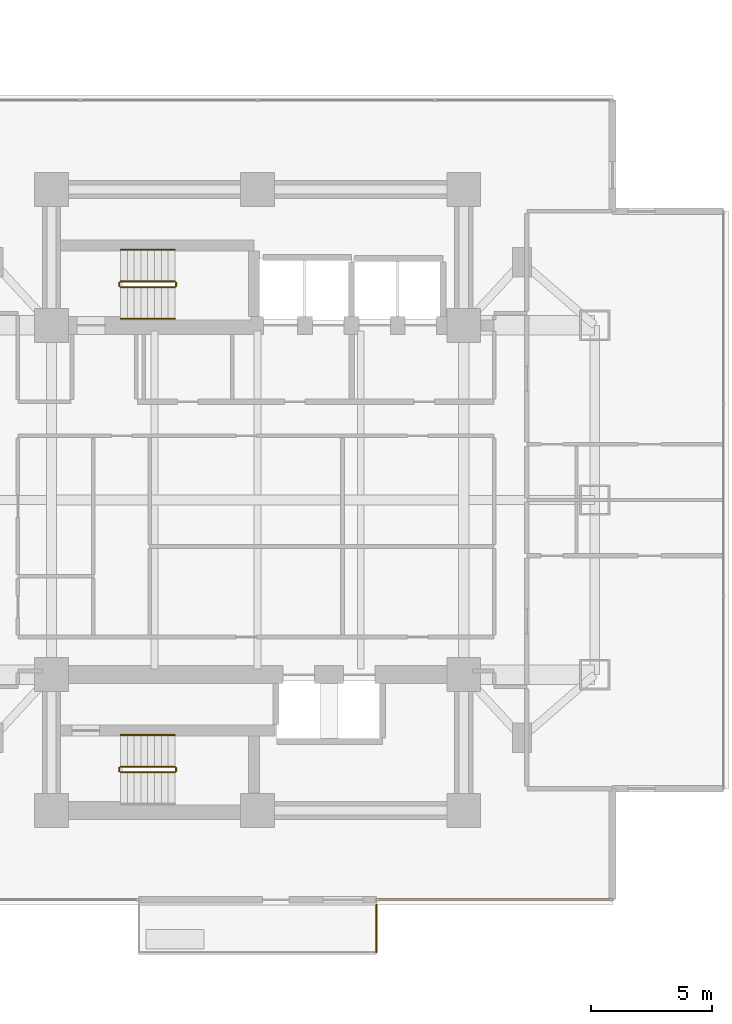
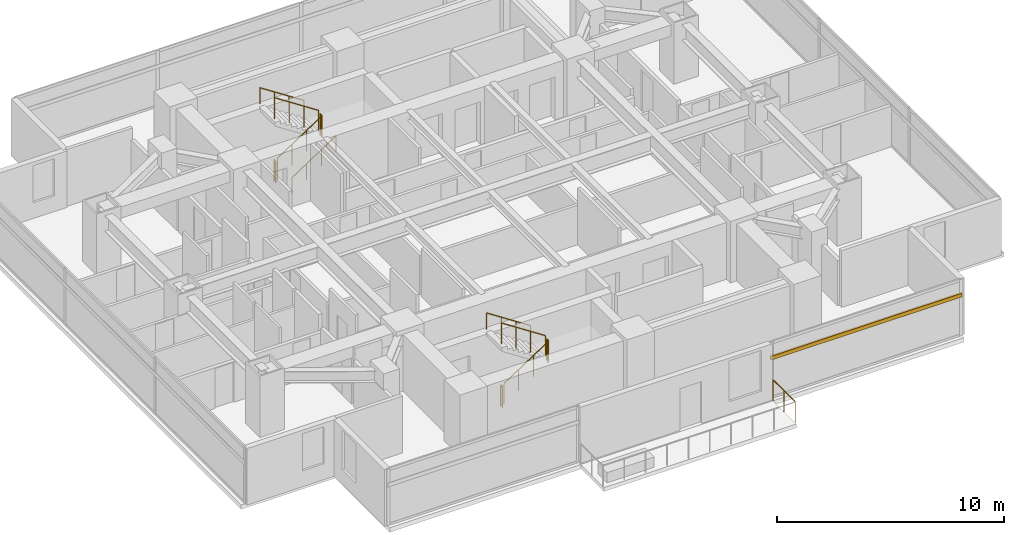
# One storey, part 26 of 27: 12 railings, 1 shading device.
"""IFC4 building model written with IfcOpenShell, lengths in metres."""

from ifc_helpers import new_model, si_unit, direction, frame, origin, origin_2d, place, context, subcontext, project, spatial, rectangle, circle, extrude, material, material_profile, profile_set, type_object, element, save


model = new_model("IFC4")

# Units and contexts
model_context = context("Model", 3, precision=1e-05, world=origin(), true_north=direction((0.0, 1.0)))
body_context = subcontext(model_context, "Body", "Model", "MODEL_VIEW")
ifc_project = project(units=[si_unit("LENGTHUNIT", "METRE"), si_unit("AREAUNIT", "SQUARE_METRE"), si_unit("VOLUMEUNIT", "CUBIC_METRE"), si_unit("PLANEANGLEUNIT", "RADIAN"), si_unit("MASSUNIT", "GRAM", prefix="KILO")], contexts=[model_context])

# Site, building, storey
site_placement = place(None, origin())
site = spatial("IfcSite", under=ifc_project, at=site_placement, CompositionType="ELEMENT")
building_placement = place(site_placement, origin())
building = spatial("IfcBuilding", under=site, at=building_placement, Name="Mirazonda Arch Towers", CompositionType="ELEMENT")
storey_placement = place(building_placement, frame((0.0, 0.0, 42.199951171875)))
storey = spatial("IfcBuildingStorey", under=building, at=storey_placement, Name="L11", CompositionType="ELEMENT", Elevation=42.199951171875)

# Shading device
ifc_material_1 = material(Name="Kiln-Fired Architectural Terracotta", Category="masonry")
ifc_material_profile = material_profile(ifc_material_1, rectangle(XDim=0.10009765625, YDim=0.199951171875, at=origin_2d()), Name="TERRA-BAG-100x200")
ifc_profile_set = profile_set([ifc_material_profile], Name="Kiln-Fired Architectural Terracotta")
shading_device_type = type_object("IfcShadingDeviceType", Name="BAGUETTE-2", PredefinedType="USERDEFINED", material=ifc_profile_set)
shading_device_placement = place(storey_placement, frame((91.1279296875, 11.520263671875, 2.18896484375), z_axis=(-1.0, 0.0, 0.0), x_axis=(0.0, -1.0, 0.0)))
element("IfcShadingDevice", 1, at=shading_device_placement, inside=storey, type_object=shading_device_type, Name="L11 Glazed Terracotta Sun-Screen Baguette CW-L11-T2-SA", ObjectType="BAGUETTE", PredefinedType="USERDEFINED", context=body_context, shape_type="SweptSolid", body=[
    extrude(rectangle(XDim=0.10009765625, YDim=0.199951171875, at=origin_2d()), origin(), (0.0, 0.0, 1.0), 9.738037109375),
])

# Railings
ifc_material_2 = material(Name="Architectural Brushed Steel S355", Category="steel")
railing_type_1 = type_object("IfcRailingType", Name="GUARD-EXT-1150", PredefinedType="GUARDRAIL", material=ifc_material_2)
railing_1_placement = place(storey_placement, frame((81.39990234375, 11.310302734375, 0.0)))
element("IfcRailing", 2, at=railing_1_placement, inside=storey, type_object=railing_type_1, Name="L11 T2 Sky-Terrace Guard 01", PredefinedType="GUARDRAIL", context=body_context, shape_type="SweptSolid", body=[
    extrude(circle(Radius=0.02392578125, at=origin_2d()), frame((0.0, 0.0, 1.1259765625), z_axis=(0.0, -1.0, 0.0), x_axis=(1.0, 0.0, 0.0)), (0.0, 0.0, 1.0), 1.960205078125),
    extrude(circle(Radius=0.02099609375, at=origin_2d()), origin(), (0.0, 0.0, 1.0), 1.101806640625),
    extrude(circle(Radius=0.02099609375, at=origin_2d()), frame((0.0, -0.97998046875, 0.0)), (0.0, 0.0, 1.0), 1.101806640625),
    extrude(circle(Radius=0.02099609375, at=origin_2d()), frame((0.0, -1.960205078125, 0.0)), (0.0, 0.0, 1.0), 1.101806640625),
])
railing_type_2 = type_object("IfcRailingType", Name="GUARD-STAIR-1120", PredefinedType="GUARDRAIL", material=ifc_material_2)
railing_2_placement = place(storey_placement, frame((70.85009765625, 36.77001953125, 0.183349609375)))
element("IfcRailing", 3, at=railing_2_placement, inside=storey, type_object=railing_type_2, Name="L11 ST-T2N stair guard 1", PredefinedType="GUARDRAIL", context=body_context, shape_type="SweptSolid", body=[
    extrude(circle(Radius=0.02392578125, at=origin_2d()), frame((0.0, 0.0, 1.1259765625), z_axis=(0.836595146698, 0.0, 0.547821650285), x_axis=(0.0, 1.0, 0.0)), (0.0, 0.0, 1.0), 2.677490234375),
    extrude(circle(Radius=0.02099609375, at=origin_2d()), origin(), (0.0, 0.0, 1.0), 1.101806640625),
    extrude(circle(Radius=0.02099609375, at=origin_2d()), frame((0.74658203125, 0.0, 0.489013671875)), (0.0, 0.0, 1.0), 1.101806640625),
    extrude(circle(Radius=0.02099609375, at=origin_2d()), frame((1.493408203125, 0.0, 0.977783203125)), (0.0, 0.0, 1.0), 1.101806640625),
    extrude(circle(Radius=0.02099609375, at=origin_2d()), frame((2.239990234375, 0.0, 1.466796875)), (0.0, 0.0, 1.0), 1.101806640625),
])
railing_3_placement = place(storey_placement, frame((73.139892578125, 36.820068359375, 1.650146484375)))
element("IfcRailing", 4, at=railing_3_placement, inside=storey, type_object=railing_type_2, Name="L11 ST-T2N stair guard 2", PredefinedType="GUARDRAIL", context=body_context, shape_type="SweptSolid", body=[
    extrude(circle(Radius=0.02392578125, at=origin_2d()), frame((0.0, 0.0, 1.1259765625), z_axis=(0.0, 1.0, 0.0), x_axis=(-1.0, 0.0, 0.0)), (0.0, 0.0, 1.0), 0.139892578125),
    extrude(circle(Radius=0.02099609375, at=origin_2d()), origin(), (0.0, 0.0, 1.0), 1.101806640625),
    extrude(circle(Radius=0.02099609375, at=origin_2d()), frame((0.0, 0.139892578125, 0.0)), (0.0, 0.0, 1.0), 1.101806640625),
])
railing_4_placement = place(storey_placement, frame((73.090087890625, 37.010009765625, 1.83349609375)))
element("IfcRailing", 5, at=railing_4_placement, inside=storey, type_object=railing_type_2, Name="L11 ST-T2N stair guard 3", PredefinedType="GUARDRAIL", context=body_context, shape_type="SweptSolid", body=[
    extrude(circle(Radius=0.02392578125, at=origin_2d()), frame((0.0, 0.0, 1.1259765625), z_axis=(-0.836636935527, 0.0, 0.547757827979), x_axis=(0.0, -1.0, 0.0)), (0.0, 0.0, 1.0), 2.677490234375),
    extrude(circle(Radius=0.02099609375, at=origin_2d()), origin(), (0.0, 0.0, 1.0), 1.101806640625),
    extrude(circle(Radius=0.02099609375, at=origin_2d()), frame((-0.74658203125, 0.0, 0.48876953125)), (0.0, 0.0, 1.0), 1.101806640625),
    extrude(circle(Radius=0.02099609375, at=origin_2d()), frame((-1.493408203125, 0.0, 0.977783203125)), (0.0, 0.0, 1.0), 1.101806640625),
    extrude(circle(Radius=0.02099609375, at=origin_2d()), frame((-2.239990234375, 0.0, 1.466552734375)), (0.0, 0.0, 1.0), 1.101806640625),
])
railing_5_placement = place(storey_placement, frame((70.800048828125, 36.820068359375, 0.0)))
element("IfcRailing", 6, at=railing_5_placement, inside=storey, type_object=railing_type_2, Name="L11 ST-T2N stair guard 4", PredefinedType="GUARDRAIL", context=body_context, shape_type="SweptSolid", body=[
    extrude(circle(Radius=0.02392578125, at=origin_2d()), frame((0.0, 0.0, 1.1259765625), z_axis=(0.0, 1.0, 0.0), x_axis=(-1.0, 0.0, 0.0)), (0.0, 0.0, 1.0), 0.139892578125),
    extrude(circle(Radius=0.02099609375, at=origin_2d()), origin(), (0.0, 0.0, 1.0), 1.101806640625),
    extrude(circle(Radius=0.02099609375, at=origin_2d()), frame((0.0, 0.139892578125, 0.0)), (0.0, 0.0, 1.0), 1.101806640625),
])
railing_6_placement = place(storey_placement, frame((70.85009765625, 16.77001953125, 0.183349609375)))
element("IfcRailing", 7, at=railing_6_placement, inside=storey, type_object=railing_type_2, Name="L11 ST-T2S stair guard 1", PredefinedType="GUARDRAIL", context=body_context, shape_type="SweptSolid", body=[
    extrude(circle(Radius=0.02392578125, at=origin_2d()), frame((0.0, 0.0, 1.1259765625), z_axis=(0.836595146698, 0.0, 0.547821650285), x_axis=(0.0, 1.0, 0.0)), (0.0, 0.0, 1.0), 2.677490234375),
    extrude(circle(Radius=0.02099609375, at=origin_2d()), origin(), (0.0, 0.0, 1.0), 1.101806640625),
    extrude(circle(Radius=0.02099609375, at=origin_2d()), frame((0.74658203125, 0.0, 0.489013671875)), (0.0, 0.0, 1.0), 1.101806640625),
    extrude(circle(Radius=0.02099609375, at=origin_2d()), frame((1.493408203125, 0.0, 0.977783203125)), (0.0, 0.0, 1.0), 1.101806640625),
    extrude(circle(Radius=0.02099609375, at=origin_2d()), frame((2.239990234375, 0.0, 1.466796875)), (0.0, 0.0, 1.0), 1.101806640625),
])
railing_7_placement = place(storey_placement, frame((73.139892578125, 16.820068359375, 1.650146484375)))
element("IfcRailing", 8, at=railing_7_placement, inside=storey, type_object=railing_type_2, Name="L11 ST-T2S stair guard 2", PredefinedType="GUARDRAIL", context=body_context, shape_type="SweptSolid", body=[
    extrude(circle(Radius=0.02392578125, at=origin_2d()), frame((0.0, 0.0, 1.1259765625), z_axis=(0.0, 1.0, 0.0), x_axis=(-1.0, 0.0, 0.0)), (0.0, 0.0, 1.0), 0.139892578125),
    extrude(circle(Radius=0.02099609375, at=origin_2d()), origin(), (0.0, 0.0, 1.0), 1.101806640625),
    extrude(circle(Radius=0.02099609375, at=origin_2d()), frame((0.0, 0.139892578125, 0.0)), (0.0, 0.0, 1.0), 1.101806640625),
])
railing_8_placement = place(storey_placement, frame((73.090087890625, 17.010009765625, 1.83349609375)))
element("IfcRailing", 9, at=railing_8_placement, inside=storey, type_object=railing_type_2, Name="L11 ST-T2S stair guard 3", PredefinedType="GUARDRAIL", context=body_context, shape_type="SweptSolid", body=[
    extrude(circle(Radius=0.02392578125, at=origin_2d()), frame((0.0, 0.0, 1.1259765625), z_axis=(-0.836636935527, 0.0, 0.547757827979), x_axis=(0.0, -1.0, 0.0)), (0.0, 0.0, 1.0), 2.677490234375),
    extrude(circle(Radius=0.02099609375, at=origin_2d()), origin(), (0.0, 0.0, 1.0), 1.101806640625),
    extrude(circle(Radius=0.02099609375, at=origin_2d()), frame((-0.74658203125, 0.0, 0.48876953125)), (0.0, 0.0, 1.0), 1.101806640625),
    extrude(circle(Radius=0.02099609375, at=origin_2d()), frame((-1.493408203125, 0.0, 0.977783203125)), (0.0, 0.0, 1.0), 1.101806640625),
    extrude(circle(Radius=0.02099609375, at=origin_2d()), frame((-2.239990234375, 0.0, 1.466552734375)), (0.0, 0.0, 1.0), 1.101806640625),
])
railing_9_placement = place(storey_placement, frame((70.800048828125, 16.820068359375, 0.0)))
element("IfcRailing", 10, at=railing_9_placement, inside=storey, type_object=railing_type_2, Name="L11 ST-T2S stair guard 4", PredefinedType="GUARDRAIL", context=body_context, shape_type="SweptSolid", body=[
    extrude(circle(Radius=0.02392578125, at=origin_2d()), frame((0.0, 0.0, 1.1259765625), z_axis=(0.0, 1.0, 0.0), x_axis=(-1.0, 0.0, 0.0)), (0.0, 0.0, 1.0), 0.139892578125),
    extrude(circle(Radius=0.02099609375, at=origin_2d()), origin(), (0.0, 0.0, 1.0), 1.101806640625),
    extrude(circle(Radius=0.02099609375, at=origin_2d()), frame((0.0, 0.139892578125, 0.0)), (0.0, 0.0, 1.0), 1.101806640625),
])
railing_type_3 = type_object("IfcRailingType", Name="HANDRAIL-915", PredefinedType="HANDRAIL", material=ifc_material_2)
railing_10_placement = place(storey_placement, frame((70.85009765625, 35.469970703125, 0.183349609375)))
element("IfcRailing", 11, at=railing_10_placement, inside=storey, type_object=railing_type_3, Name="L11 ST-T2N stair handrail 1", PredefinedType="HANDRAIL", context=body_context, shape_type="SweptSolid", body=[
    extrude(circle(Radius=0.02392578125, at=origin_2d()), frame((0.0, 0.0, 0.8759765625), z_axis=(0.836595146698, 0.0, 0.547821650285), x_axis=(0.0, 1.0, 0.0)), (0.0, 0.0, 1.0), 2.677490234375),
    extrude(circle(Radius=0.02099609375, at=origin_2d()), origin(), (0.0, 0.0, 1.0), 0.851806640625),
    extrude(circle(Radius=0.02099609375, at=origin_2d()), frame((0.74658203125, 0.0, 0.489013671875)), (0.0, 0.0, 1.0), 0.851806640625),
    extrude(circle(Radius=0.02099609375, at=origin_2d()), frame((1.493408203125, 0.0, 0.977783203125)), (0.0, 0.0, 1.0), 0.851806640625),
    extrude(circle(Radius=0.02099609375, at=origin_2d()), frame((2.239990234375, 0.0, 1.466796875)), (0.0, 0.0, 1.0), 0.851806640625),
])
for number, where, name in (
    (12, (73.090087890625, 38.31005859375, 1.83349609375), "L11 ST-T2N stair handrail 2"),
    (13, (73.090087890625, 18.31005859375, 1.83349609375), "L11 ST-T2S stair handrail 2"),
):
    element("IfcRailing", number, at=place(storey_placement, frame(where)), inside=storey, type_object=railing_type_3, Name=name, PredefinedType="HANDRAIL", context=body_context, shape_type="SweptSolid", body=[
        extrude(circle(Radius=0.02392578125, at=origin_2d()), frame((0.0, 0.0, 0.8759765625), z_axis=(-0.836636935527, 0.0, 0.547757827979), x_axis=(0.0, -1.0, 0.0)), (0.0, 0.0, 1.0), 2.677490234375),
        extrude(circle(Radius=0.02099609375, at=origin_2d()), origin(), (0.0, 0.0, 1.0), 0.851806640625),
        extrude(circle(Radius=0.02099609375, at=origin_2d()), frame((-0.74658203125, 0.0, 0.48876953125)), (0.0, 0.0, 1.0), 0.851806640625),
        extrude(circle(Radius=0.02099609375, at=origin_2d()), frame((-1.493408203125, 0.0, 0.977783203125)), (0.0, 0.0, 1.0), 0.851806640625),
        extrude(circle(Radius=0.02099609375, at=origin_2d()), frame((-2.239990234375, 0.0, 1.466552734375)), (0.0, 0.0, 1.0), 0.851806640625),
    ])

save(model, "model.ifc")
